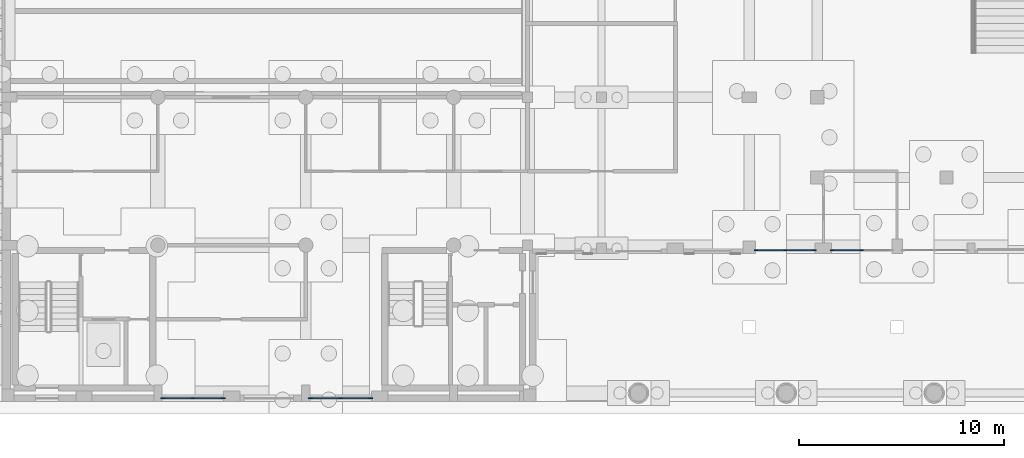
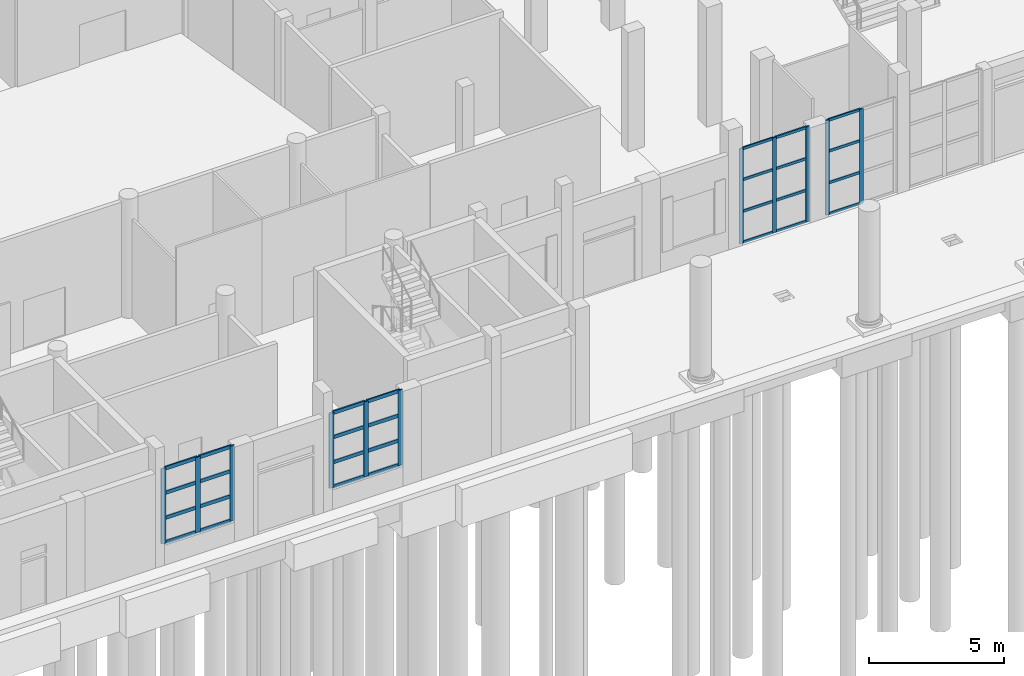
# One storey, part 10 of 80: 39 members, 4 elements without a shape of their own.
"""IFC4 building model written with IfcOpenShell, lengths in metres."""

from ifc_helpers import new_model, si_unit, direction, frame, origin, origin_2d, place, context, subcontext, project, spatial, rectangle, extrude, material, layer, layer_set, material_profile, profile_set, type_object, element, aggregate, save


model = new_model("IFC4")

# Units and contexts
model_context = context("Model", 3, precision=1e-05, world=origin(), true_north=direction((0.0, 1.0)))
body_context = subcontext(model_context, "Body", "Model", "MODEL_VIEW")
ifc_project = project(units=[si_unit("LENGTHUNIT", "METRE"), si_unit("AREAUNIT", "SQUARE_METRE"), si_unit("VOLUMEUNIT", "CUBIC_METRE"), si_unit("PLANEANGLEUNIT", "RADIAN"), si_unit("MASSUNIT", "GRAM", prefix="KILO")], contexts=[model_context])

# Site, building, storey
site_placement = place(None, origin())
site = spatial("IfcSite", under=ifc_project, at=site_placement, CompositionType="ELEMENT")
building_placement = place(site_placement, origin())
building = spatial("IfcBuilding", under=site, at=building_placement, Name="Ussher Court Research Institute", CompositionType="ELEMENT")
storey_placement = place(building_placement, origin())
storey = spatial("IfcBuildingStorey", under=building, at=storey_placement, Name="L00", CompositionType="ELEMENT", Elevation=0.0)

# Curtain wall, members
ifc_material_1 = material(Name="Bronze anodised aluminium with low-e glass", Category="aluminium")
ifc_layer_1 = layer(ifc_material_1, 0.1201171875)
ifc_layer_set_1 = layer_set([ifc_layer_1], Name="Bronze anodised aluminium with low-e glass")
curtain_wall_type_1 = type_object("IfcCurtainWallType", Name="Curtain wall atrium clear glazing", PredefinedType="NOTDEFINED", material=ifc_layer_set_1)
curtain_wall_1_placement = place(storey_placement, origin())
curtain_wall_1 = element("IfcCurtainWall", 1, at=curtain_wall_1_placement, inside=storey, type_object=curtain_wall_type_1, Name="Curtain wall CW2 L00", PredefinedType="NOTDEFINED")
ifc_material_2 = material(Name="Bronze anodised aluminium", Category="aluminium")
ifc_material_profile_1 = material_profile(ifc_material_2, rectangle(XDim=0.06005859375, YDim=0.159912109375, at=origin_2d()), Name="Mullion 60x160")
ifc_profile_set_1 = profile_set([ifc_material_profile_1], Name="Bronze anodised aluminium")
member_type_1 = type_object("IfcMemberType", Name="Mullion 60x160", PredefinedType="MULLION", material=ifc_profile_set_1)
member_1_placement = place(storey_placement, frame((44.47509765625, 10.949951171875, 0.0), z_axis=(0.0, 0.0, 1.0), x_axis=(0.0, -1.0, 0.0)))
member_1 = element("IfcMember", 2, at=member_1_placement, type_object=member_type_1, Name="CW2 mullion 2", PredefinedType="MULLION", context=body_context, shape_type="SweptSolid", body=[
    extrude(rectangle(XDim=0.06005859375, YDim=0.159912109375, at=origin_2d()), origin(), (0.0, 0.0, 1.0), 4.300048828125),
])
member_2_placement = place(storey_placement, frame((43.030029296875, 10.949951171875, 0.0), z_axis=(0.0, 0.0, 1.0), x_axis=(0.0, -1.0, 0.0)))
member_2 = element("IfcMember", 3, at=member_2_placement, type_object=member_type_1, Name="CW2 mullion 3", PredefinedType="MULLION", context=body_context, shape_type="SweptSolid", body=[
    extrude(rectangle(XDim=0.06005859375, YDim=0.159912109375, at=origin_2d()), origin(), (0.0, 0.0, 1.0), 4.300048828125),
])

curtain_wall_2_placement = place(storey_placement, origin())
curtain_wall_2 = element("IfcCurtainWall", 4, at=curtain_wall_2_placement, inside=storey, type_object=curtain_wall_type_1, Name="Curtain wall CW2 L00", PredefinedType="NOTDEFINED")
member_3_placement = place(storey_placement, frame((42.169921875, 10.949951171875, 0.0), z_axis=(0.0, 0.0, 1.0), x_axis=(0.0, -1.0, 0.0)))
member_3 = element("IfcMember", 5, at=member_3_placement, type_object=member_type_1, Name="CW2 mullion 1", PredefinedType="MULLION", context=body_context, shape_type="SweptSolid", body=[
    extrude(rectangle(XDim=0.06005859375, YDim=0.159912109375, at=origin_2d()), origin(), (0.0, 0.0, 1.0), 4.300048828125),
])
member_4_placement = place(storey_placement, frame((40.75, 10.949951171875, 0.0), z_axis=(0.0, 0.0, 1.0), x_axis=(0.0, -1.0, 0.0)))
member_4 = element("IfcMember", 6, at=member_4_placement, type_object=member_type_1, Name="CW2 mullion 2", PredefinedType="MULLION", context=body_context, shape_type="SweptSolid", body=[
    extrude(rectangle(XDim=0.06005859375, YDim=0.159912109375, at=origin_2d()), origin(), (0.0, 0.0, 1.0), 4.300048828125),
])
member_5_placement = place(storey_placement, frame((39.330078125, 10.949951171875, 0.0), z_axis=(0.0, 0.0, 1.0), x_axis=(0.0, -1.0, 0.0)))
member_5 = element("IfcMember", 7, at=member_5_placement, type_object=member_type_1, Name="CW2 mullion 3", PredefinedType="MULLION", context=body_context, shape_type="SweptSolid", body=[
    extrude(rectangle(XDim=0.06005859375, YDim=0.159912109375, at=origin_2d()), origin(), (0.0, 0.0, 1.0), 4.300048828125),
])

ifc_material_3 = material(Name="Bronze anodised aluminium with low-e glass", Category="aluminium")
ifc_layer_2 = layer(ifc_material_3, 0.159912109375)
ifc_layer_set_2 = layer_set([ifc_layer_2], Name="Bronze anodised aluminium with low-e glass")
curtain_wall_type_2 = type_object("IfcCurtainWallType", Name="Curtain wall lecture theatre gable glazing", PredefinedType="NOTDEFINED", material=ifc_layer_set_2)
curtain_wall_3_placement = place(storey_placement, origin())
curtain_wall_3 = element("IfcCurtainWall", 8, at=curtain_wall_3_placement, inside=storey, type_object=curtain_wall_type_2, Name="Curtain wall CW5 L00", PredefinedType="NOTDEFINED")
ifc_material_4 = material(Name="Bronze anodised aluminium", Category="aluminium")
ifc_material_profile_2 = material_profile(ifc_material_4, rectangle(XDim=0.06005859375, YDim=0.199951171875, at=origin_2d()), Name="Mullion 60x200")
ifc_profile_set_2 = profile_set([ifc_material_profile_2], Name="Bronze anodised aluminium")
member_type_2 = type_object("IfcMemberType", Name="Mullion 60x200", PredefinedType="MULLION", material=ifc_profile_set_2)
member_6_placement = place(storey_placement, frame((20.570068359375, 3.75, 0.89990234375), z_axis=(0.0, 0.0, 1.0), x_axis=(0.0, -1.0, 0.0)))
member_6 = element("IfcMember", 9, at=member_6_placement, type_object=member_type_2, Name="CW5 mullion 1", PredefinedType="MULLION", context=body_context, shape_type="SweptSolid", body=[
    extrude(rectangle(XDim=0.06005859375, YDim=0.199951171875, at=origin_2d()), origin(), (0.0, 0.0, 1.0), 3.400146484375),
])
member_7_placement = place(storey_placement, frame((19.10009765625, 3.75, 0.89990234375), z_axis=(0.0, 0.0, 1.0), x_axis=(0.0, -1.0, 0.0)))
member_7 = element("IfcMember", 10, at=member_7_placement, type_object=member_type_2, Name="CW5 mullion 2", PredefinedType="MULLION", context=body_context, shape_type="SweptSolid", body=[
    extrude(rectangle(XDim=0.06005859375, YDim=0.199951171875, at=origin_2d()), origin(), (0.0, 0.0, 1.0), 3.400146484375),
])
member_8_placement = place(storey_placement, frame((17.6298828125, 3.75, 0.89990234375), z_axis=(0.0, 0.0, 1.0), x_axis=(0.0, -1.0, 0.0)))
member_8 = element("IfcMember", 11, at=member_8_placement, type_object=member_type_2, Name="CW5 mullion 3", PredefinedType="MULLION", context=body_context, shape_type="SweptSolid", body=[
    extrude(rectangle(XDim=0.06005859375, YDim=0.199951171875, at=origin_2d()), origin(), (0.0, 0.0, 1.0), 3.400146484375),
])

curtain_wall_4_placement = place(storey_placement, origin())
curtain_wall_4 = element("IfcCurtainWall", 12, at=curtain_wall_4_placement, inside=storey, type_object=curtain_wall_type_2, Name="Curtain wall CW5 L00", PredefinedType="NOTDEFINED")
member_9_placement = place(storey_placement, frame((13.3701171875, 3.75, 0.89990234375), z_axis=(0.0, 0.0, 1.0), x_axis=(0.0, -1.0, 0.0)))
member_9 = element("IfcMember", 13, at=member_9_placement, type_object=member_type_2, Name="CW5 mullion 1", PredefinedType="MULLION", context=body_context, shape_type="SweptSolid", body=[
    extrude(rectangle(XDim=0.06005859375, YDim=0.199951171875, at=origin_2d()), origin(), (0.0, 0.0, 1.0), 3.400146484375),
])
member_10_placement = place(storey_placement, frame((11.89990234375, 3.75, 0.89990234375), z_axis=(0.0, 0.0, 1.0), x_axis=(0.0, -1.0, 0.0)))
member_10 = element("IfcMember", 14, at=member_10_placement, type_object=member_type_2, Name="CW5 mullion 2", PredefinedType="MULLION", context=body_context, shape_type="SweptSolid", body=[
    extrude(rectangle(XDim=0.06005859375, YDim=0.199951171875, at=origin_2d()), origin(), (0.0, 0.0, 1.0), 3.400146484375),
])
member_11_placement = place(storey_placement, frame((10.429931640625, 3.75, 0.89990234375), z_axis=(0.0, 0.0, 1.0), x_axis=(0.0, -1.0, 0.0)))
member_11 = element("IfcMember", 15, at=member_11_placement, type_object=member_type_2, Name="CW5 mullion 3", PredefinedType="MULLION", context=body_context, shape_type="SweptSolid", body=[
    extrude(rectangle(XDim=0.06005859375, YDim=0.199951171875, at=origin_2d()), origin(), (0.0, 0.0, 1.0), 3.400146484375),
])

# Member
ifc_material_5 = material(Name="Bronze anodised aluminium", Category="aluminium")
ifc_material_profile_3 = material_profile(ifc_material_5, rectangle(XDim=0.06005859375, YDim=0.1201171875, at=origin_2d()), Name="Transom 60x120")
ifc_profile_set_3 = profile_set([ifc_material_profile_3], Name="Bronze anodised aluminium")
member_type_3 = type_object("IfcMemberType", Name="Transom 60x120", PredefinedType="USERDEFINED", material=ifc_profile_set_3)
member_12_placement = place(storey_placement, frame((44.445068359375, 10.949951171875, 0.030029296875), z_axis=(-1.0, 0.0, 0.0), x_axis=(0.0, -1.0, 0.0)))
member_12 = element("IfcMember", 16, at=member_12_placement, type_object=member_type_3, Name="CW2 transom 2.1", ObjectType="TRANSOM", PredefinedType="USERDEFINED", context=body_context, shape_type="SweptSolid", body=[
    extrude(rectangle(XDim=0.06005859375, YDim=0.1201171875, at=origin_2d()), origin(), (0.0, 0.0, 1.0), 1.385009765625),
])

member_13_placement = place(storey_placement, frame((44.445068359375, 10.949951171875, 1.433349609375), z_axis=(-1.0, 0.0, 0.0), x_axis=(0.0, -1.0, 0.0)))
member_13 = element("IfcMember", 17, at=member_13_placement, type_object=member_type_3, Name="CW2 transom 2.2", ObjectType="TRANSOM", PredefinedType="USERDEFINED", context=body_context, shape_type="SweptSolid", body=[
    extrude(rectangle(XDim=0.06005859375, YDim=0.1201171875, at=origin_2d()), origin(), (0.0, 0.0, 1.0), 1.385009765625),
])

member_14_placement = place(storey_placement, frame((44.445068359375, 10.949951171875, 2.86669921875), z_axis=(-1.0, 0.0, 0.0), x_axis=(0.0, -1.0, 0.0)))
member_14 = element("IfcMember", 18, at=member_14_placement, type_object=member_type_3, Name="CW2 transom 2.3", ObjectType="TRANSOM", PredefinedType="USERDEFINED", context=body_context, shape_type="SweptSolid", body=[
    extrude(rectangle(XDim=0.06005859375, YDim=0.1201171875, at=origin_2d()), origin(), (0.0, 0.0, 1.0), 1.385009765625),
])

member_15_placement = place(storey_placement, frame((44.445068359375, 10.949951171875, 4.27001953125), z_axis=(-1.0, 0.0, 0.0), x_axis=(0.0, -1.0, 0.0)))
member_15 = element("IfcMember", 19, at=member_15_placement, type_object=member_type_3, Name="CW2 transom 2.4", ObjectType="TRANSOM", PredefinedType="USERDEFINED", context=body_context, shape_type="SweptSolid", body=[
    extrude(rectangle(XDim=0.06005859375, YDim=0.1201171875, at=origin_2d()), origin(), (0.0, 0.0, 1.0), 1.385009765625),
])

aggregate(curtain_wall_1, [member_1, member_2, member_12, member_13, member_14, member_15])

member_16_placement = place(storey_placement, frame((42.139892578125, 10.949951171875, 0.030029296875), z_axis=(-1.0, 0.0, 0.0), x_axis=(0.0, -1.0, 0.0)))
member_16 = element("IfcMember", 20, at=member_16_placement, type_object=member_type_3, Name="CW2 transom 1.1", ObjectType="TRANSOM", PredefinedType="USERDEFINED", context=body_context, shape_type="SweptSolid", body=[
    extrude(rectangle(XDim=0.06005859375, YDim=0.1201171875, at=origin_2d()), origin(), (0.0, 0.0, 1.0), 1.35986328125),
])

member_17_placement = place(storey_placement, frame((42.139892578125, 10.949951171875, 1.433349609375), z_axis=(-1.0, 0.0, 0.0), x_axis=(0.0, -1.0, 0.0)))
member_17 = element("IfcMember", 21, at=member_17_placement, type_object=member_type_3, Name="CW2 transom 1.2", ObjectType="TRANSOM", PredefinedType="USERDEFINED", context=body_context, shape_type="SweptSolid", body=[
    extrude(rectangle(XDim=0.06005859375, YDim=0.1201171875, at=origin_2d()), origin(), (0.0, 0.0, 1.0), 1.35986328125),
])

member_18_placement = place(storey_placement, frame((42.139892578125, 10.949951171875, 2.86669921875), z_axis=(-1.0, 0.0, 0.0), x_axis=(0.0, -1.0, 0.0)))
member_18 = element("IfcMember", 22, at=member_18_placement, type_object=member_type_3, Name="CW2 transom 1.3", ObjectType="TRANSOM", PredefinedType="USERDEFINED", context=body_context, shape_type="SweptSolid", body=[
    extrude(rectangle(XDim=0.06005859375, YDim=0.1201171875, at=origin_2d()), origin(), (0.0, 0.0, 1.0), 1.35986328125),
])

member_19_placement = place(storey_placement, frame((42.139892578125, 10.949951171875, 4.27001953125), z_axis=(-1.0, 0.0, 0.0), x_axis=(0.0, -1.0, 0.0)))
member_19 = element("IfcMember", 23, at=member_19_placement, type_object=member_type_3, Name="CW2 transom 1.4", ObjectType="TRANSOM", PredefinedType="USERDEFINED", context=body_context, shape_type="SweptSolid", body=[
    extrude(rectangle(XDim=0.06005859375, YDim=0.1201171875, at=origin_2d()), origin(), (0.0, 0.0, 1.0), 1.35986328125),
])

member_20_placement = place(storey_placement, frame((40.719970703125, 10.949951171875, 0.030029296875), z_axis=(-1.0, 0.0, 0.0), x_axis=(0.0, -1.0, 0.0)))
member_20 = element("IfcMember", 24, at=member_20_placement, type_object=member_type_3, Name="CW2 transom 2.1", ObjectType="TRANSOM", PredefinedType="USERDEFINED", context=body_context, shape_type="SweptSolid", body=[
    extrude(rectangle(XDim=0.06005859375, YDim=0.1201171875, at=origin_2d()), origin(), (0.0, 0.0, 1.0), 1.35986328125),
])

member_21_placement = place(storey_placement, frame((40.719970703125, 10.949951171875, 1.433349609375), z_axis=(-1.0, 0.0, 0.0), x_axis=(0.0, -1.0, 0.0)))
member_21 = element("IfcMember", 25, at=member_21_placement, type_object=member_type_3, Name="CW2 transom 2.2", ObjectType="TRANSOM", PredefinedType="USERDEFINED", context=body_context, shape_type="SweptSolid", body=[
    extrude(rectangle(XDim=0.06005859375, YDim=0.1201171875, at=origin_2d()), origin(), (0.0, 0.0, 1.0), 1.35986328125),
])

member_22_placement = place(storey_placement, frame((40.719970703125, 10.949951171875, 2.86669921875), z_axis=(-1.0, 0.0, 0.0), x_axis=(0.0, -1.0, 0.0)))
member_22 = element("IfcMember", 26, at=member_22_placement, type_object=member_type_3, Name="CW2 transom 2.3", ObjectType="TRANSOM", PredefinedType="USERDEFINED", context=body_context, shape_type="SweptSolid", body=[
    extrude(rectangle(XDim=0.06005859375, YDim=0.1201171875, at=origin_2d()), origin(), (0.0, 0.0, 1.0), 1.35986328125),
])

member_23_placement = place(storey_placement, frame((40.719970703125, 10.949951171875, 4.27001953125), z_axis=(-1.0, 0.0, 0.0), x_axis=(0.0, -1.0, 0.0)))
member_23 = element("IfcMember", 27, at=member_23_placement, type_object=member_type_3, Name="CW2 transom 2.4", ObjectType="TRANSOM", PredefinedType="USERDEFINED", context=body_context, shape_type="SweptSolid", body=[
    extrude(rectangle(XDim=0.06005859375, YDim=0.1201171875, at=origin_2d()), origin(), (0.0, 0.0, 1.0), 1.35986328125),
])

aggregate(curtain_wall_2, [member_3, member_4, member_5, member_16, member_17, member_18, member_19, member_20, member_21, member_22, member_23])

ifc_material_6 = material(Name="Bronze anodised aluminium", Category="aluminium")
ifc_material_profile_4 = material_profile(ifc_material_6, rectangle(XDim=0.06005859375, YDim=0.159912109375, at=origin_2d()), Name="Transom 60x160")
ifc_profile_set_4 = profile_set([ifc_material_profile_4], Name="Bronze anodised aluminium")
member_type_4 = type_object("IfcMemberType", Name="Transom 60x160", PredefinedType="USERDEFINED", material=ifc_profile_set_4)
member_24_placement = place(storey_placement, frame((20.5400390625, 3.75, 0.929931640625), z_axis=(-1.0, 0.0, 0.0), x_axis=(0.0, -1.0, 0.0)))
member_24 = element("IfcMember", 28, at=member_24_placement, type_object=member_type_4, Name="CW5 transom 1.1", ObjectType="TRANSOM", PredefinedType="USERDEFINED", context=body_context, shape_type="SweptSolid", body=[
    extrude(rectangle(XDim=0.06005859375, YDim=0.159912109375, at=origin_2d()), origin(), (0.0, 0.0, 1.0), 1.41015625),
])

member_25_placement = place(storey_placement, frame((20.5400390625, 3.75, 2.033203125), z_axis=(-1.0, 0.0, 0.0), x_axis=(0.0, -1.0, 0.0)))
member_25 = element("IfcMember", 29, at=member_25_placement, type_object=member_type_4, Name="CW5 transom 1.2", ObjectType="TRANSOM", PredefinedType="USERDEFINED", context=body_context, shape_type="SweptSolid", body=[
    extrude(rectangle(XDim=0.06005859375, YDim=0.159912109375, at=origin_2d()), origin(), (0.0, 0.0, 1.0), 1.41015625),
])

member_26_placement = place(storey_placement, frame((20.5400390625, 3.75, 3.166748046875), z_axis=(-1.0, 0.0, 0.0), x_axis=(0.0, -1.0, 0.0)))
member_26 = element("IfcMember", 30, at=member_26_placement, type_object=member_type_4, Name="CW5 transom 1.3", ObjectType="TRANSOM", PredefinedType="USERDEFINED", context=body_context, shape_type="SweptSolid", body=[
    extrude(rectangle(XDim=0.06005859375, YDim=0.159912109375, at=origin_2d()), origin(), (0.0, 0.0, 1.0), 1.41015625),
])

member_27_placement = place(storey_placement, frame((20.5400390625, 3.75, 4.27001953125), z_axis=(-1.0, 0.0, 0.0), x_axis=(0.0, -1.0, 0.0)))
member_27 = element("IfcMember", 31, at=member_27_placement, type_object=member_type_4, Name="CW5 transom 1.4", ObjectType="TRANSOM", PredefinedType="USERDEFINED", context=body_context, shape_type="SweptSolid", body=[
    extrude(rectangle(XDim=0.06005859375, YDim=0.159912109375, at=origin_2d()), origin(), (0.0, 0.0, 1.0), 1.41015625),
])

member_28_placement = place(storey_placement, frame((19.070068359375, 3.75, 0.929931640625), z_axis=(-1.0, 0.0, 0.0), x_axis=(0.0, -1.0, 0.0)))
member_28 = element("IfcMember", 32, at=member_28_placement, type_object=member_type_4, Name="CW5 transom 2.1", ObjectType="TRANSOM", PredefinedType="USERDEFINED", context=body_context, shape_type="SweptSolid", body=[
    extrude(rectangle(XDim=0.06005859375, YDim=0.159912109375, at=origin_2d()), origin(), (0.0, 0.0, 1.0), 1.41015625),
])

member_29_placement = place(storey_placement, frame((19.070068359375, 3.75, 2.033203125), z_axis=(-1.0, 0.0, 0.0), x_axis=(0.0, -1.0, 0.0)))
member_29 = element("IfcMember", 33, at=member_29_placement, type_object=member_type_4, Name="CW5 transom 2.2", ObjectType="TRANSOM", PredefinedType="USERDEFINED", context=body_context, shape_type="SweptSolid", body=[
    extrude(rectangle(XDim=0.06005859375, YDim=0.159912109375, at=origin_2d()), origin(), (0.0, 0.0, 1.0), 1.41015625),
])

member_30_placement = place(storey_placement, frame((19.070068359375, 3.75, 3.166748046875), z_axis=(-1.0, 0.0, 0.0), x_axis=(0.0, -1.0, 0.0)))
member_30 = element("IfcMember", 34, at=member_30_placement, type_object=member_type_4, Name="CW5 transom 2.3", ObjectType="TRANSOM", PredefinedType="USERDEFINED", context=body_context, shape_type="SweptSolid", body=[
    extrude(rectangle(XDim=0.06005859375, YDim=0.159912109375, at=origin_2d()), origin(), (0.0, 0.0, 1.0), 1.41015625),
])

member_31_placement = place(storey_placement, frame((19.070068359375, 3.75, 4.27001953125), z_axis=(-1.0, 0.0, 0.0), x_axis=(0.0, -1.0, 0.0)))
member_31 = element("IfcMember", 35, at=member_31_placement, type_object=member_type_4, Name="CW5 transom 2.4", ObjectType="TRANSOM", PredefinedType="USERDEFINED", context=body_context, shape_type="SweptSolid", body=[
    extrude(rectangle(XDim=0.06005859375, YDim=0.159912109375, at=origin_2d()), origin(), (0.0, 0.0, 1.0), 1.41015625),
])

aggregate(curtain_wall_3, [member_6, member_7, member_8, member_24, member_25, member_26, member_27, member_28, member_29, member_30, member_31])

member_32_placement = place(storey_placement, frame((13.340087890625, 3.75, 0.929931640625), z_axis=(-1.0, 0.0, 0.0), x_axis=(0.0, -1.0, 0.0)))
member_32 = element("IfcMember", 36, at=member_32_placement, type_object=member_type_4, Name="CW5 transom 1.1", ObjectType="TRANSOM", PredefinedType="USERDEFINED", context=body_context, shape_type="SweptSolid", body=[
    extrude(rectangle(XDim=0.06005859375, YDim=0.159912109375, at=origin_2d()), origin(), (0.0, 0.0, 1.0), 1.41015625),
])

member_33_placement = place(storey_placement, frame((13.340087890625, 3.75, 2.033203125), z_axis=(-1.0, 0.0, 0.0), x_axis=(0.0, -1.0, 0.0)))
member_33 = element("IfcMember", 37, at=member_33_placement, type_object=member_type_4, Name="CW5 transom 1.2", ObjectType="TRANSOM", PredefinedType="USERDEFINED", context=body_context, shape_type="SweptSolid", body=[
    extrude(rectangle(XDim=0.06005859375, YDim=0.159912109375, at=origin_2d()), origin(), (0.0, 0.0, 1.0), 1.41015625),
])

member_34_placement = place(storey_placement, frame((13.340087890625, 3.75, 3.166748046875), z_axis=(-1.0, 0.0, 0.0), x_axis=(0.0, -1.0, 0.0)))
member_34 = element("IfcMember", 38, at=member_34_placement, type_object=member_type_4, Name="CW5 transom 1.3", ObjectType="TRANSOM", PredefinedType="USERDEFINED", context=body_context, shape_type="SweptSolid", body=[
    extrude(rectangle(XDim=0.06005859375, YDim=0.159912109375, at=origin_2d()), origin(), (0.0, 0.0, 1.0), 1.41015625),
])

member_35_placement = place(storey_placement, frame((13.340087890625, 3.75, 4.27001953125), z_axis=(-1.0, 0.0, 0.0), x_axis=(0.0, -1.0, 0.0)))
member_35 = element("IfcMember", 39, at=member_35_placement, type_object=member_type_4, Name="CW5 transom 1.4", ObjectType="TRANSOM", PredefinedType="USERDEFINED", context=body_context, shape_type="SweptSolid", body=[
    extrude(rectangle(XDim=0.06005859375, YDim=0.159912109375, at=origin_2d()), origin(), (0.0, 0.0, 1.0), 1.41015625),
])

member_36_placement = place(storey_placement, frame((11.8701171875, 3.75, 0.929931640625), z_axis=(-1.0, 0.0, 0.0), x_axis=(0.0, -1.0, 0.0)))
member_36 = element("IfcMember", 40, at=member_36_placement, type_object=member_type_4, Name="CW5 transom 2.1", ObjectType="TRANSOM", PredefinedType="USERDEFINED", context=body_context, shape_type="SweptSolid", body=[
    extrude(rectangle(XDim=0.06005859375, YDim=0.159912109375, at=origin_2d()), origin(), (0.0, 0.0, 1.0), 1.41015625),
])

member_37_placement = place(storey_placement, frame((11.8701171875, 3.75, 2.033203125), z_axis=(-1.0, 0.0, 0.0), x_axis=(0.0, -1.0, 0.0)))
member_37 = element("IfcMember", 41, at=member_37_placement, type_object=member_type_4, Name="CW5 transom 2.2", ObjectType="TRANSOM", PredefinedType="USERDEFINED", context=body_context, shape_type="SweptSolid", body=[
    extrude(rectangle(XDim=0.06005859375, YDim=0.159912109375, at=origin_2d()), origin(), (0.0, 0.0, 1.0), 1.41015625),
])

member_38_placement = place(storey_placement, frame((11.8701171875, 3.75, 3.166748046875), z_axis=(-1.0, 0.0, 0.0), x_axis=(0.0, -1.0, 0.0)))
member_38 = element("IfcMember", 42, at=member_38_placement, type_object=member_type_4, Name="CW5 transom 2.3", ObjectType="TRANSOM", PredefinedType="USERDEFINED", context=body_context, shape_type="SweptSolid", body=[
    extrude(rectangle(XDim=0.06005859375, YDim=0.159912109375, at=origin_2d()), origin(), (0.0, 0.0, 1.0), 1.41015625),
])

member_39_placement = place(storey_placement, frame((11.8701171875, 3.75, 4.27001953125), z_axis=(-1.0, 0.0, 0.0), x_axis=(0.0, -1.0, 0.0)))
member_39 = element("IfcMember", 43, at=member_39_placement, type_object=member_type_4, Name="CW5 transom 2.4", ObjectType="TRANSOM", PredefinedType="USERDEFINED", context=body_context, shape_type="SweptSolid", body=[
    extrude(rectangle(XDim=0.06005859375, YDim=0.159912109375, at=origin_2d()), origin(), (0.0, 0.0, 1.0), 1.41015625),
])

aggregate(curtain_wall_4, [member_9, member_10, member_11, member_32, member_33, member_34, member_35, member_36, member_37, member_38, member_39])

save(model, "model.ifc")
